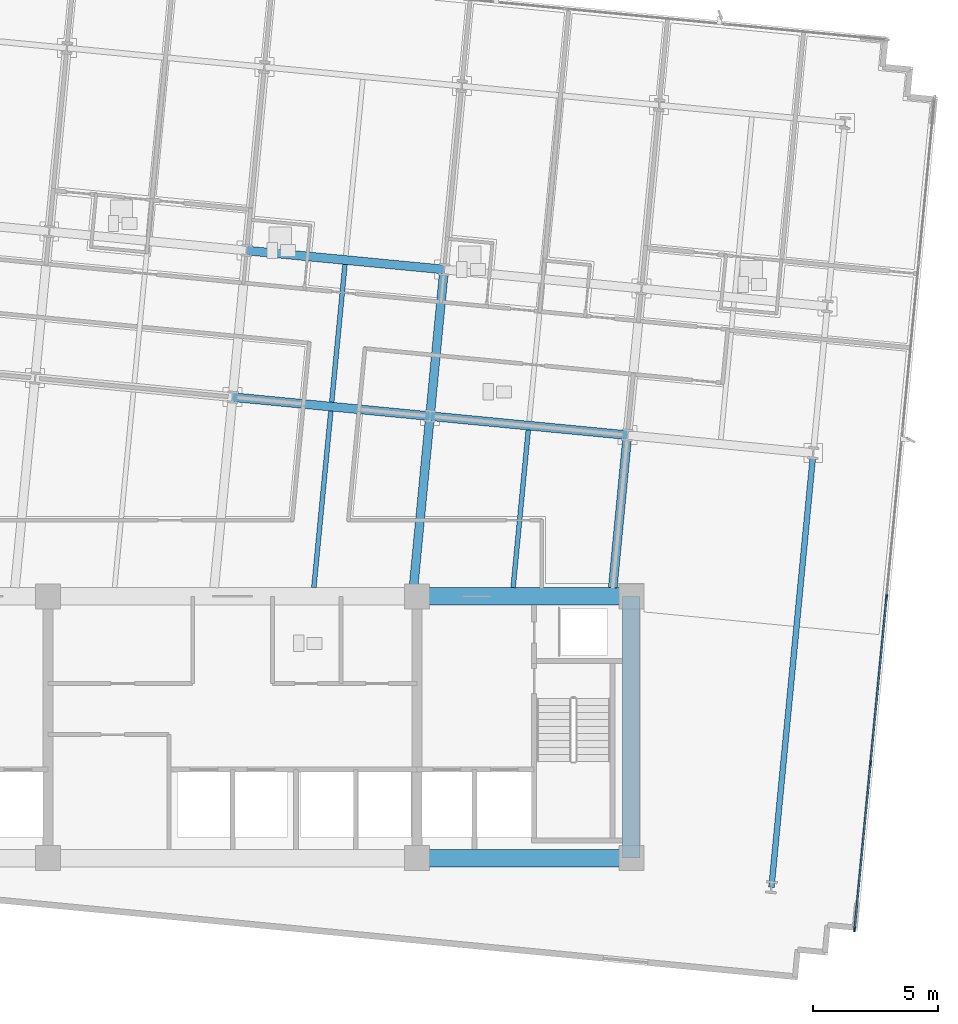
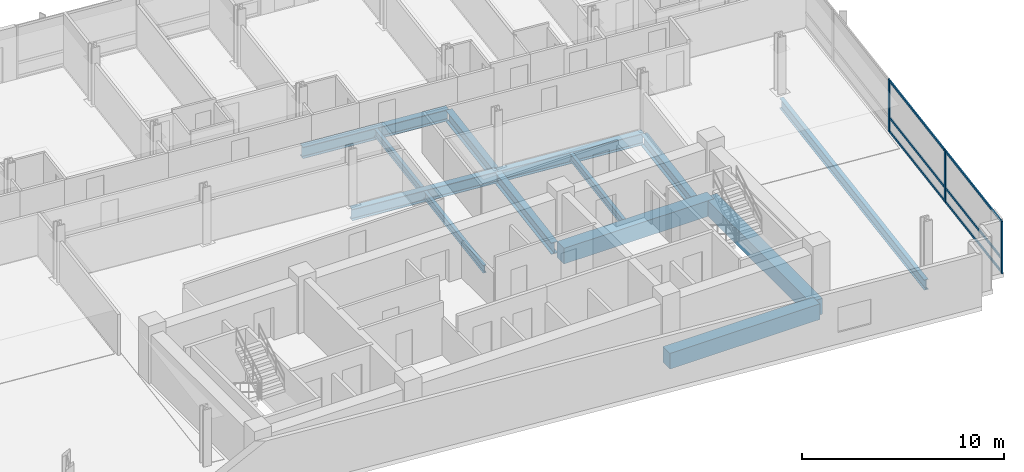
# One storey, part 5 of 17: 13 beams, 9 members, 1 element without a shape of its own.
"""IFC4 building model written with IfcOpenShell, lengths in metres."""

from ifc_helpers import new_model, si_unit, direction, frame, origin, origin_2d, place, context, subcontext, project, spatial, rectangle, i_section, extrude, material, material_profile, profile_set, type_object, element, aggregate, save


model = new_model("IFC4")

# Units and contexts
model_context = context("Model", 3, precision=1e-05, world=origin(), true_north=direction((0.0, 1.0)))
body_context = subcontext(model_context, "Body", "Model", "MODEL_VIEW")
ifc_project = project(units=[si_unit("LENGTHUNIT", "METRE"), si_unit("AREAUNIT", "SQUARE_METRE"), si_unit("VOLUMEUNIT", "CUBIC_METRE"), si_unit("PLANEANGLEUNIT", "RADIAN"), si_unit("MASSUNIT", "GRAM", prefix="KILO")], contexts=[model_context])

# Site, building, storey
site_placement = place(None, origin())
site = spatial("IfcSite", under=ifc_project, at=site_placement, CompositionType="ELEMENT")
building_placement = place(site_placement, origin())
building = spatial("IfcBuilding", under=site, at=building_placement, Name="Solmavex Isthmus Hotel", CompositionType="ELEMENT")
storey_placement = place(building_placement, frame((0.0, 0.0, 139.35009765625)))
storey = spatial("IfcBuildingStorey", under=building, at=storey_placement, Name="L37", CompositionType="ELEMENT", Elevation=139.35009765625)

# Beams
ifc_material_1 = material(Name="Steel ASTM A992 Grade 50", Category="steel")
ifc_material_profile_1 = material_profile(ifc_material_1, i_section(OverallWidth=0.354736328125, OverallDepth=0.695556640625, WebThickness=0.015380859375, FlangeThickness=0.02490234375, FilletRadius=0.017822265625, at=origin_2d()), Name="W27X146")
ifc_profile_set_1 = profile_set([ifc_material_profile_1], Name="Steel ASTM A992 Grade 50")
beam_type_1 = type_object("IfcBeamType", Name="BM-BG-W27X146", PredefinedType="BEAM", material=ifc_profile_set_1)
for number, where, z_axis, x_axis, name in (
    (1, (0.001220703125, 5.490234375, -0.60791015625), (0.995397440011, -0.095832856685, 0.0), (0.095832856685, 0.995397440011, 0.0), "Floor Girder L37-UG06"),
    (2, (7.920654296875, 4.727783203125, -0.60791015625), (0.995397440011, -0.095832856685, 0.0), (0.095832856685, 0.995397440011, 0.0), "Floor Girder L37-UG07"),
):
    element("IfcBeam", number, at=place(storey_placement, frame(where, z_axis=z_axis, x_axis=x_axis)), inside=storey, type_object=beam_type_1, Name=name, PredefinedType="BEAM", context=body_context, shape_type="SweptSolid", body=[
        extrude(i_section(OverallWidth=0.354736328125, OverallDepth=0.695556640625, WebThickness=0.015380859375, FlangeThickness=0.02490234375, FilletRadius=0.017822265625, at=origin_2d()), origin(), (0.0, 0.0, 1.0), 7.9560546875),
    ])
beam_1_placement = place(storey_placement, frame((0.567626953125, 11.37109375, -0.60791015625), z_axis=(0.995397158178, -0.095835783981, 0.0), x_axis=(0.095835783981, 0.995397158178, 0.0)))
element("IfcBeam", 3, at=beam_1_placement, inside=storey, type_object=beam_type_1, Name="Floor Girder L37-UG12", PredefinedType="BEAM", context=body_context, shape_type="SweptSolid", body=[
    extrude(i_section(OverallWidth=0.354736328125, OverallDepth=0.695556640625, WebThickness=0.015380859375, FlangeThickness=0.02490234375, FilletRadius=0.017822265625, at=origin_2d()), origin(), (0.0, 0.0, 1.0), 7.955810546875),
])
beam_2_placement = place(storey_placement, frame((7.25830078125, -2.14990234375, -0.60791015625), z_axis=(0.095847843924, 0.995395996986, 0.0), x_axis=(-0.995395996986, 0.095847843924, 0.0)))
element("IfcBeam", 4, at=beam_2_placement, inside=storey, type_object=beam_type_1, Name="Floor Beam L37-VG33", PredefinedType="BEAM", context=body_context, shape_type="SweptSolid", body=[
    extrude(i_section(OverallWidth=0.354736328125, OverallDepth=0.695556640625, WebThickness=0.015380859375, FlangeThickness=0.02490234375, FilletRadius=0.017822265625, at=origin_2d()), origin(), (0.0, 0.0, 1.0), 6.732177734375),
])
beam_3_placement = place(storey_placement, frame((7.937744140625, 4.904296875, -0.60791015625), z_axis=(0.095842252862, 0.99539653534, 0.0), x_axis=(-0.99539653534, 0.095842252862, 0.0)))
element("IfcBeam", 5, at=beam_3_placement, inside=storey, type_object=beam_type_1, Name="Floor Beam L37-VG34", PredefinedType="BEAM", context=body_context, shape_type="SweptSolid", body=[
    extrude(i_section(OverallWidth=0.354736328125, OverallDepth=0.695556640625, WebThickness=0.015380859375, FlangeThickness=0.02490234375, FilletRadius=0.017822265625, at=origin_2d()), origin(), (0.0, 0.0, 1.0), 5.55322265625),
])
beam_4_placement = place(storey_placement, frame((15.251220703125, -2.14990234375, -0.60791015625), z_axis=(0.095840286514, 0.995396724669, 0.0), x_axis=(-0.995396724669, 0.095840286514, 0.0)))
element("IfcBeam", 6, at=beam_4_placement, inside=storey, type_object=beam_type_1, Name="Floor Beam L37-VG36", PredefinedType="BEAM", context=body_context, shape_type="SweptSolid", body=[
    extrude(i_section(OverallWidth=0.354736328125, OverallDepth=0.695556640625, WebThickness=0.015380859375, FlangeThickness=0.02490234375, FilletRadius=0.017822265625, at=origin_2d()), origin(), (0.0, 0.0, 1.0), 5.9658203125),
])
ifc_material_profile_2 = material_profile(ifc_material_1, i_section(OverallWidth=0.1904296875, OverallDepth=0.456787109375, WebThickness=0.009033203125, FlangeThickness=0.014404296875, FilletRadius=0.0126953125, at=origin_2d()), Name="W18X50")
ifc_profile_set_2 = profile_set([ifc_material_profile_2], Name="Steel ASTM A992 Grade 50")
beam_type_2 = type_object("IfcBeamType", Name="BM-BJ-W18X50", PredefinedType="JOIST", material=ifc_profile_set_2)
beam_5_placement = place(storey_placement, frame((3.261962890625, -2.14990234375, -0.488525390625), z_axis=(0.095837287001, 0.995397013468, 0.0), x_axis=(-0.995397013468, 0.095837287001, 0.0)))
element("IfcBeam", 7, at=beam_5_placement, inside=storey, type_object=beam_type_2, Name="Secondary Floor Joist L37-J10", PredefinedType="JOIST", context=body_context, shape_type="SweptSolid", body=[
    extrude(i_section(OverallWidth=0.1904296875, OverallDepth=0.456787109375, WebThickness=0.009033203125, FlangeThickness=0.014404296875, FilletRadius=0.0126953125, at=origin_2d()), origin(), (0.0, 0.0, 1.0), 7.114990234375),
])
beam_6_placement = place(storey_placement, frame((3.97802734375, 5.28564453125, -0.488525390625), z_axis=(0.095842252862, 0.99539653534, 0.0), x_axis=(-0.99539653534, 0.095842252862, 0.0)))
element("IfcBeam", 8, at=beam_6_placement, inside=storey, type_object=beam_type_2, Name="Secondary Floor Joist L37-J11", PredefinedType="JOIST", context=body_context, shape_type="SweptSolid", body=[
    extrude(i_section(OverallWidth=0.1904296875, OverallDepth=0.456787109375, WebThickness=0.009033203125, FlangeThickness=0.014404296875, FilletRadius=0.0126953125, at=origin_2d()), origin(), (0.0, 0.0, 1.0), 5.55322265625),
])
beam_7_placement = place(storey_placement, frame((11.2548828125, -2.14990234375, -0.488525390625), z_axis=(0.095825243261, 0.995398172971, 0.0), x_axis=(-0.995398172971, 0.095825243261, 0.0)))
element("IfcBeam", 9, at=beam_7_placement, inside=storey, type_object=beam_type_2, Name="Secondary Floor Joist L37-J13", PredefinedType="JOIST", context=body_context, shape_type="SweptSolid", body=[
    extrude(i_section(OverallWidth=0.1904296875, OverallDepth=0.456787109375, WebThickness=0.009033203125, FlangeThickness=0.014404296875, FilletRadius=0.0126953125, at=origin_2d()), origin(), (0.0, 0.0, 1.0), 6.34912109375),
])
ifc_material_2 = material(Name="Concrete C60/75", Category="concrete")
ifc_material_profile_3 = material_profile(ifc_material_2, rectangle(XDim=0.699951171875, YDim=0.949951171875, at=origin_2d()), Name="RC700X950")
ifc_profile_set_3 = profile_set([ifc_material_profile_3], Name="Concrete C60/75")
beam_type_3 = type_object("IfcBeamType", Name="BM-CB-700X950", PredefinedType="BEAM", material=ifc_profile_set_3)
for number, where, z_axis, x_axis, name in (
    (10, (7.39990234375, -13.0, -0.735107421875), (1.0, 0.0, 0.0), (0.0, 1.0, 0.0), "Core Coupling Beam L37-CB3"),
    (11, (7.39990234375, -2.5, -0.735107421875), (1.0, 0.0, 0.0), (0.0, 1.0, 0.0), "Core Coupling Beam L37-CB6"),
):
    element("IfcBeam", number, at=place(storey_placement, frame(where, z_axis=z_axis, x_axis=x_axis)), inside=storey, type_object=beam_type_3, Name=name, PredefinedType="BEAM", context=body_context, shape_type="SweptSolid", body=[
        extrude(rectangle(XDim=0.699951171875, YDim=0.949951171875, at=origin_2d()), origin(), (0.0, 0.0, 1.0), 8.60009765625),
    ])
beam_8_placement = place(storey_placement, frame((16.0, -13.0, -0.735107421875), z_axis=(0.0, 1.0, 0.0), x_axis=(-1.0, 0.0, 0.0)))
element("IfcBeam", 12, at=beam_8_placement, inside=storey, type_object=beam_type_3, Name="Core Coupling Beam L37-CB8", PredefinedType="BEAM", context=body_context, shape_type="SweptSolid", body=[
    extrude(rectangle(XDim=0.699951171875, YDim=0.949951171875, at=origin_2d()), origin(), (0.0, 0.0, 1.0), 10.5),
])
ifc_material_profile_4 = material_profile(ifc_material_1, i_section(OverallWidth=0.230224609375, OverallDepth=0.617431640625, WebThickness=0.01318359375, FlangeThickness=0.022216796875, FilletRadius=0.01513671875, at=origin_2d()), Name="W24X94")
ifc_profile_set_4 = profile_set([ifc_material_profile_4], Name="Steel ASTM A992 Grade 50")
beam_type_4 = type_object("IfcBeamType", Name="BM-SP-W24X94", PredefinedType="SPANDREL", material=ifc_profile_set_4)
beam_9_placement = place(storey_placement, frame((21.6162109375, -14.171875, -0.56884765625), z_axis=(0.095851245948, 0.995395669395, 0.0), x_axis=(-0.995395669395, 0.095851245948, 0.0)))
element("IfcBeam", 13, at=beam_9_placement, inside=storey, type_object=beam_type_4, Name="Floor Beam L37-VG39", PredefinedType="SPANDREL", context=body_context, shape_type="SweptSolid", body=[
    extrude(i_section(OverallWidth=0.230224609375, OverallDepth=0.617431640625, WebThickness=0.01318359375, FlangeThickness=0.022216796875, FilletRadius=0.01513671875, at=origin_2d()), origin(), (0.0, 0.0, 1.0), 17.32275390625),
])

# Curtain wall, members
ifc_material_3 = material(Name="Aluminium alloy 6063-T6", Category="aluminium")
curtain_wall_type = type_object("IfcCurtainWallType", Name="CW-SYS-03", PredefinedType="NOTDEFINED", material=ifc_material_3)
curtain_wall_placement = place(storey_placement, origin())
curtain_wall = element("IfcCurtainWall", 14, at=curtain_wall_placement, inside=storey, type_object=curtain_wall_type, Name="Stick Curtain Wall CWL-L37-E1", PredefinedType="NOTDEFINED")
ifc_material_profile_5 = material_profile(ifc_material_3, rectangle(XDim=0.070068359375, YDim=0.179931640625, at=origin_2d()), Name="CWM-70X180")
ifc_profile_set_5 = profile_set([ifc_material_profile_5], Name="Aluminium alloy 6063-T6")
member_type_1 = type_object("IfcMemberType", Name="CW-SYS-03-MUL", PredefinedType="MULLION", material=ifc_profile_set_5)
member_1_placement = place(storey_placement, frame((24.949462890625, -15.8642578125, 0.0), z_axis=(0.0, 0.0, 1.0), x_axis=(-0.995396190038, 0.09584583902, 0.0)))
member_1 = element("IfcMember", 15, at=member_1_placement, type_object=member_type_1, Name="CW-03 mullion 1", PredefinedType="MULLION", context=body_context, shape_type="SweptSolid", body=[
    extrude(rectangle(XDim=0.070068359375, YDim=0.179931640625, at=origin_2d()), origin(), (0.0, 0.0, 1.0), 3.18994140625),
])
member_2_placement = place(storey_placement, frame((25.590087890625, -9.2099609375, 0.0), z_axis=(0.0, 0.0, 1.0), x_axis=(-0.995396190038, 0.09584583902, 0.0)))
member_2 = element("IfcMember", 16, at=member_2_placement, type_object=member_type_1, Name="CW-03 mullion 2", PredefinedType="MULLION", context=body_context, shape_type="SweptSolid", body=[
    extrude(rectangle(XDim=0.070068359375, YDim=0.179931640625, at=origin_2d()), origin(), (0.0, 0.0, 1.0), 3.18994140625),
])
member_3_placement = place(storey_placement, frame((26.234130859375, -2.520751953125, 0.0), z_axis=(0.0, 0.0, 1.0), x_axis=(-0.995396190038, 0.09584583902, 0.0)))
member_3 = element("IfcMember", 17, at=member_3_placement, type_object=member_type_1, Name="CW-03 mullion 3", PredefinedType="MULLION", context=body_context, shape_type="SweptSolid", body=[
    extrude(rectangle(XDim=0.070068359375, YDim=0.179931640625, at=origin_2d()), origin(), (0.0, 0.0, 1.0), 3.18994140625),
])
ifc_material_profile_6 = material_profile(ifc_material_3, rectangle(XDim=0.070068359375, YDim=0.139892578125, at=origin_2d()), Name="CWT-70X140")
ifc_profile_set_6 = profile_set([ifc_material_profile_6], Name="Aluminium alloy 6063-T6")
member_type_2 = type_object("IfcMemberType", Name="CW-SYS-03-TRN", PredefinedType="USERDEFINED", material=ifc_profile_set_6)
member_4_placement = place(storey_placement, frame((24.95263671875, -15.829345703125, 0.06982421875), z_axis=(0.095848837806, 0.995395901283, 0.0), x_axis=(-0.995395901283, 0.095848837806, 0.0)))
member_4 = element("IfcMember", 18, at=member_4_placement, type_object=member_type_2, Name="CW-03 transom 1.1", ObjectType="TRANSOM", PredefinedType="USERDEFINED", context=body_context, shape_type="SweptSolid", body=[
    extrude(rectangle(XDim=0.070068359375, YDim=0.139892578125, at=origin_2d()), origin(), (0.0, 0.0, 1.0), 6.614990234375),
])
member_5_placement = place(storey_placement, frame((24.95263671875, -15.829345703125, 0.89990234375), z_axis=(0.095848837806, 0.995395901283, 0.0), x_axis=(-0.995395901283, 0.095848837806, 0.0)))
member_5 = element("IfcMember", 19, at=member_5_placement, type_object=member_type_2, Name="CW-03 transom 1.2", ObjectType="TRANSOM", PredefinedType="USERDEFINED", context=body_context, shape_type="SweptSolid", body=[
    extrude(rectangle(XDim=0.070068359375, YDim=0.139892578125, at=origin_2d()), origin(), (0.0, 0.0, 1.0), 6.614990234375),
])
member_6_placement = place(storey_placement, frame((24.95263671875, -15.829345703125, 3.119873046875), z_axis=(0.095848837806, 0.995395901283, 0.0), x_axis=(-0.995395901283, 0.095848837806, 0.0)))
member_6 = element("IfcMember", 20, at=member_6_placement, type_object=member_type_2, Name="CW-03 transom 1.3", ObjectType="TRANSOM", PredefinedType="USERDEFINED", context=body_context, shape_type="SweptSolid", body=[
    extrude(rectangle(XDim=0.070068359375, YDim=0.139892578125, at=origin_2d()), origin(), (0.0, 0.0, 1.0), 6.614990234375),
])
member_7_placement = place(storey_placement, frame((25.593505859375, -9.175048828125, 0.06982421875), z_axis=(0.095857212138, 0.995395094865, 0.0), x_axis=(-0.995395094865, 0.095857212138, 0.0)))
member_7 = element("IfcMember", 21, at=member_7_placement, type_object=member_type_2, Name="CW-03 transom 2.1", ObjectType="TRANSOM", PredefinedType="USERDEFINED", context=body_context, shape_type="SweptSolid", body=[
    extrude(rectangle(XDim=0.070068359375, YDim=0.139892578125, at=origin_2d()), origin(), (0.0, 0.0, 1.0), 6.64990234375),
])
member_8_placement = place(storey_placement, frame((25.593505859375, -9.175048828125, 0.89990234375), z_axis=(0.095857212138, 0.995395094865, 0.0), x_axis=(-0.995395094865, 0.095857212138, 0.0)))
member_8 = element("IfcMember", 22, at=member_8_placement, type_object=member_type_2, Name="CW-03 transom 2.2", ObjectType="TRANSOM", PredefinedType="USERDEFINED", context=body_context, shape_type="SweptSolid", body=[
    extrude(rectangle(XDim=0.070068359375, YDim=0.139892578125, at=origin_2d()), origin(), (0.0, 0.0, 1.0), 6.64990234375),
])
member_9_placement = place(storey_placement, frame((25.593505859375, -9.175048828125, 3.119873046875), z_axis=(0.095857212138, 0.995395094865, 0.0), x_axis=(-0.995395094865, 0.095857212138, 0.0)))
member_9 = element("IfcMember", 23, at=member_9_placement, type_object=member_type_2, Name="CW-03 transom 2.3", ObjectType="TRANSOM", PredefinedType="USERDEFINED", context=body_context, shape_type="SweptSolid", body=[
    extrude(rectangle(XDim=0.070068359375, YDim=0.139892578125, at=origin_2d()), origin(), (0.0, 0.0, 1.0), 6.64990234375),
])
aggregate(curtain_wall, [member_1, member_2, member_3, member_4, member_5, member_6, member_7, member_8, member_9])

save(model, "model.ifc")
